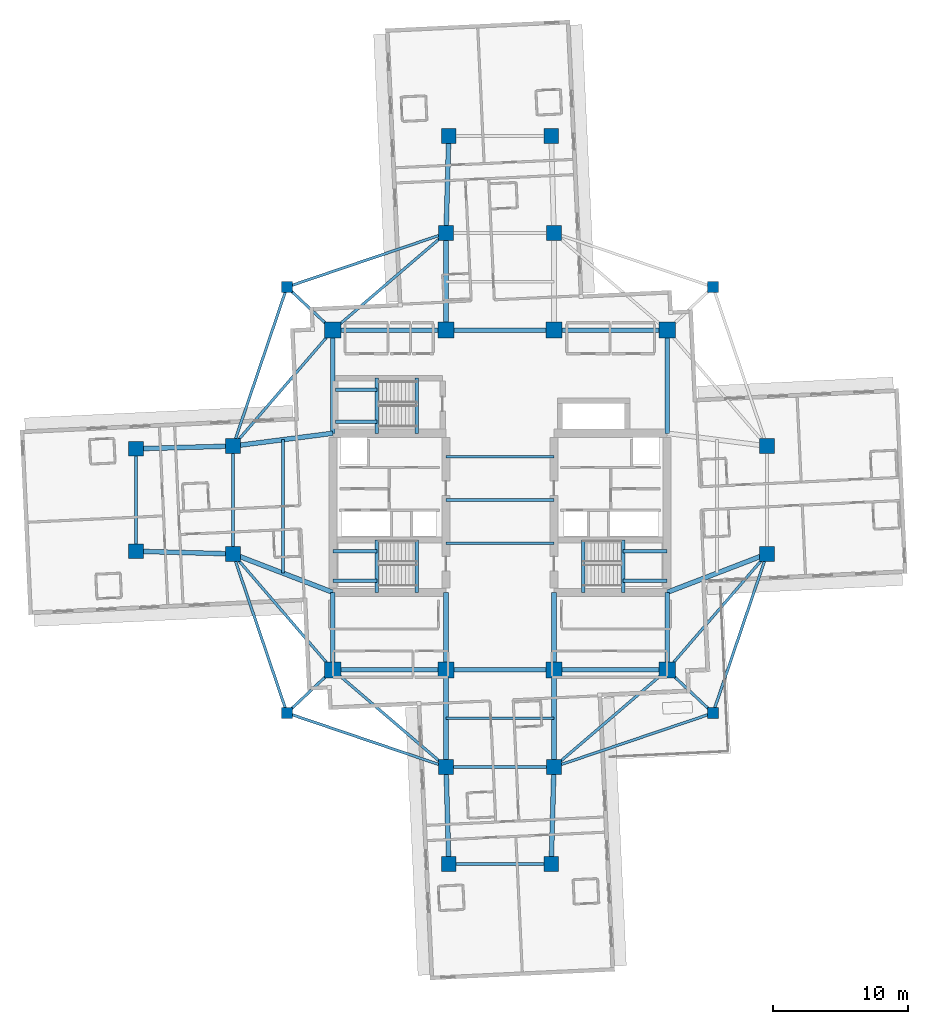
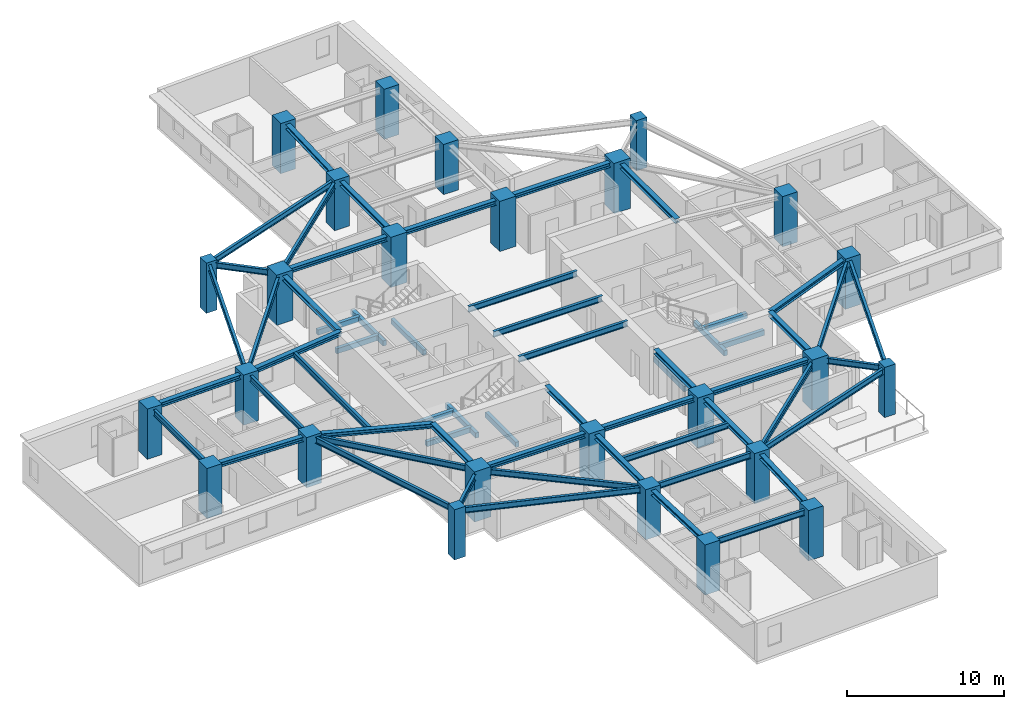
# One storey, part 1 of 14: 59 beams, 26 columns.
"""IFC4 building model written with IfcOpenShell, lengths in metres."""

from ifc_helpers import new_model, si_unit, direction, frame, origin, origin_2d, place, context, subcontext, project, spatial, rectangle, i_section, extrude, material, material_profile, profile_set, type_object, element, save


model = new_model("IFC4")

# Units and contexts
model_context = context("Model", 3, precision=1e-05, world=origin(), true_north=direction((0.0, 1.0)))
body_context = subcontext(model_context, "Body", "Model", "MODEL_VIEW")
ifc_project = project(units=[si_unit("LENGTHUNIT", "METRE"), si_unit("AREAUNIT", "SQUARE_METRE"), si_unit("VOLUMEUNIT", "CUBIC_METRE"), si_unit("PLANEANGLEUNIT", "RADIAN"), si_unit("MASSUNIT", "GRAM", prefix="KILO")], contexts=[model_context])

# Site, building, storey
site_placement = place(None, origin())
site = spatial("IfcSite", under=ifc_project, at=site_placement, CompositionType="ELEMENT")
building_placement = place(site_placement, origin())
building = spatial("IfcBuilding", under=site, at=building_placement, Name="Qingluan Cross Belvedere", CompositionType="ELEMENT")
storey_placement = place(building_placement, frame((0.0, 0.0, 116.39990234375)))
storey = spatial("IfcBuildingStorey", under=building, at=storey_placement, Name="L29", CompositionType="ELEMENT", Elevation=116.39990234375)

# Columns
ifc_material_1 = material(Name="Concrete C60", Category="concrete")
ifc_material_profile_1 = material_profile(ifc_material_1, rectangle(XDim=1.10009765625, YDim=1.10009765625, at=origin_2d()), Name="RC1100x1100")
ifc_profile_set_1 = profile_set([ifc_material_profile_1], Name="Concrete C60")
column_type_1 = type_object("IfcColumnType", Name="Column_RC1100x1100", PredefinedType="COLUMN", material=ifc_profile_set_1)
for number, where, z_axis, x_axis, name in (
    (1, (19.800048828125, -4.0, 0.0), (0.0, 0.0, 1.0), (1.0, 0.0, 0.0), "Arm column L29-EIA"),
    (2, (19.800048828125, 4.0, 0.0), (0.0, 0.0, 1.0), (1.0, 0.0, 0.0), "Arm column L29-EIB"),
    (3, (-19.800048828125, -4.0, 0.0), (0.0, 0.0, 1.0), (1.0, 0.0, 0.0), "Arm column L29-WIA"),
    (4, (-19.800048828125, 4.0, 0.0), (0.0, 0.0, 1.0), (1.0, 0.0, 0.0), "Arm column L29-WIB"),
    (5, (-4.0, -19.800048828125, 0.0), (0.0, 0.0, 1.0), (1.0, 0.0, 0.0), "Arm column L29-SIA"),
    (6, (4.0, -19.800048828125, 0.0), (0.0, 0.0, 1.0), (1.0, 0.0, 0.0), "Arm column L29-SIB"),
    (7, (-4.0, 19.800048828125, 0.0), (0.0, 0.0, 1.0), (1.0, 0.0, 0.0), "Arm column L29-NIA"),
    (8, (4.0, 19.800048828125, 0.0), (0.0, 0.0, 1.0), (1.0, 0.0, 0.0), "Arm column L29-NIB"),
    (9, (-27.0, -3.800048828125, 0.0), (0.0, 0.0, 1.0), (1.0, 0.0, 0.0), "Arm column L29-WOA"),
    (10, (-27.0, 3.800048828125, 0.0), (0.0, 0.0, 1.0), (1.0, 0.0, 0.0), "Arm column L29-WOB"),
    (11, (-3.800048828125, -27.0, 0.0), (0.0, 0.0, 1.0), (1.0, 0.0, 0.0), "Arm column L29-SOA"),
    (12, (3.800048828125, -27.0, 0.0), (0.0, 0.0, 1.0), (1.0, 0.0, 0.0), "Arm column L29-SOB"),
    (13, (-3.800048828125, 27.0, 0.0), (0.0, 0.0, 1.0), (1.0, 0.0, 0.0), "Arm column L29-NOA"),
    (14, (3.800048828125, 27.0, 0.0), (0.0, 0.0, 1.0), (1.0, 0.0, 0.0), "Arm column L29-NOB"),
):
    element("IfcColumn", number, at=place(storey_placement, frame(where, z_axis=z_axis, x_axis=x_axis)), inside=storey, type_object=column_type_1, Name=name, PredefinedType="COLUMN", context=body_context, shape_type="SweptSolid", body=[
        extrude(rectangle(XDim=1.10009765625, YDim=1.10009765625, at=origin_2d()), origin(), (0.0, 0.0, 1.0), 3.900146484375),
    ])
ifc_material_2 = material(Name="Concrete C60", Category="concrete")
ifc_material_profile_2 = material_profile(ifc_material_2, rectangle(XDim=1.199951171875, YDim=1.199951171875, at=origin_2d()), Name="RC1200x1200")
ifc_profile_set_2 = profile_set([ifc_material_profile_2], Name="Concrete C60")
column_type_2 = type_object("IfcColumnType", Name="Column_RC1200x1200", PredefinedType="COLUMN", material=ifc_profile_set_2)
for number, where, z_axis, x_axis, name in (
    (15, (-12.39990234375, -12.60009765625, 0.0), (0.0, 0.0, 1.0), (1.0, 0.0, 0.0), "Hub column L29-HC1"),
    (16, (12.39990234375, -12.60009765625, 0.0), (0.0, 0.0, 1.0), (1.0, 0.0, 0.0), "Hub column L29-HC2"),
    (17, (12.39990234375, 12.60009765625, 0.0), (0.0, 0.0, 1.0), (1.0, 0.0, 0.0), "Hub column L29-HC3"),
    (18, (-12.39990234375, 12.60009765625, 0.0), (0.0, 0.0, 1.0), (1.0, 0.0, 0.0), "Hub column L29-HC4"),
    (19, (-4.0, -12.60009765625, 0.0), (0.0, 0.0, 1.0), (1.0, 0.0, 0.0), "Hub column L29-HC5"),
    (20, (4.0, -12.60009765625, 0.0), (0.0, 0.0, 1.0), (1.0, 0.0, 0.0), "Hub column L29-HC6"),
    (21, (4.0, 12.60009765625, 0.0), (0.0, 0.0, 1.0), (1.0, 0.0, 0.0), "Hub column L29-HC7"),
    (22, (-4.0, 12.60009765625, 0.0), (0.0, 0.0, 1.0), (1.0, 0.0, 0.0), "Hub column L29-HC8"),
):
    element("IfcColumn", number, at=place(storey_placement, frame(where, z_axis=z_axis, x_axis=x_axis)), inside=storey, type_object=column_type_2, Name=name, PredefinedType="COLUMN", context=body_context, shape_type="SweptSolid", body=[
        extrude(rectangle(XDim=1.199951171875, YDim=1.199951171875, at=origin_2d()), origin(), (0.0, 0.0, 1.0), 3.900146484375),
    ])
ifc_material_3 = material(Name="Concrete C50", Category="concrete")
ifc_material_profile_3 = material_profile(ifc_material_3, rectangle(XDim=0.800048828125, YDim=0.800048828125, at=origin_2d()), Name="RC800x800")
ifc_profile_set_3 = profile_set([ifc_material_profile_3], Name="Concrete C50")
column_type_3 = type_object("IfcColumnType", Name="Column_RC800x800", PredefinedType="COLUMN", material=ifc_profile_set_3)
for number, where, z_axis, x_axis, name in (
    (23, (15.800048828125, 15.800048828125, 0.0), (0.0, 0.0, 1.0), (1.0, 0.0, 0.0), "Corner column L29-RNE"),
    (24, (-15.800048828125, 15.800048828125, 0.0), (0.0, 0.0, 1.0), (1.0, 0.0, 0.0), "Corner column L29-RNW"),
    (25, (-15.800048828125, -15.800048828125, 0.0), (0.0, 0.0, 1.0), (1.0, 0.0, 0.0), "Corner column L29-RSW"),
    (26, (15.800048828125, -15.800048828125, 0.0), (0.0, 0.0, 1.0), (1.0, 0.0, 0.0), "Corner column L29-RSE"),
):
    element("IfcColumn", number, at=place(storey_placement, frame(where, z_axis=z_axis, x_axis=x_axis)), inside=storey, type_object=column_type_3, Name=name, PredefinedType="COLUMN", context=body_context, shape_type="SweptSolid", body=[
        extrude(rectangle(XDim=0.800048828125, YDim=0.800048828125, at=origin_2d()), origin(), (0.0, 0.0, 1.0), 3.900146484375),
    ])

# Beams
ifc_material_4 = material(Name="Concrete C45", Category="concrete")
ifc_material_profile_4 = material_profile(ifc_material_4, rectangle(XDim=0.25, YDim=0.39990234375, at=origin_2d()), Name="RC250x400")
ifc_profile_set_4 = profile_set([ifc_material_profile_4], Name="Concrete C45")
beam_type_1 = type_object("IfcBeamType", Name="RC_Lintel_RC250x400", PredefinedType="LINTEL", material=ifc_profile_set_4)
for number, where, z_axis, x_axis, name in (
    (27, (-6.179931640625, -6.85009765625, -0.199951171875), (0.0, 1.0, 0.0), (-1.0, 0.0, 0.0), "Stair ST1 landing beam L29"),
    (28, (6.179931640625, -6.85009765625, -0.199951171875), (0.0, 1.0, 0.0), (-1.0, 0.0, 0.0), "Stair ST2 landing beam L29"),
):
    element("IfcBeam", number, at=place(storey_placement, frame(where, z_axis=z_axis, x_axis=x_axis)), inside=storey, type_object=beam_type_1, Name=name, PredefinedType="LINTEL", context=body_context, shape_type="SweptSolid", body=[
        extrude(rectangle(XDim=0.25, YDim=0.39990234375, at=origin_2d()), origin(), (0.0, 0.0, 1.0), 3.89013671875),
    ])
beam_1_placement = place(storey_placement, frame((-6.179931640625, 4.949951171875, -0.199951171875), z_axis=(0.0, 1.0, 0.0), x_axis=(-1.0, 0.0, 0.0)))
element("IfcBeam", 29, at=beam_1_placement, inside=storey, type_object=beam_type_1, Name="Stair ST3 landing beam L29", PredefinedType="LINTEL", context=body_context, shape_type="SweptSolid", body=[
    extrude(rectangle(XDim=0.25, YDim=0.39990234375, at=origin_2d()), origin(), (0.0, 0.0, 1.0), 4.090087890625),
])
beam_2_placement = place(storey_placement, frame((-9.1298828125, -6.85009765625, 1.550048828125), z_axis=(0.0, 1.0, 0.0), x_axis=(-1.0, 0.0, 0.0)))
element("IfcBeam", 30, at=beam_2_placement, inside=storey, type_object=beam_type_1, Name="Stair ST1 beam A L29", PredefinedType="LINTEL", context=body_context, shape_type="SweptSolid", body=[
    extrude(rectangle(XDim=0.25, YDim=0.39990234375, at=origin_2d()), origin(), (0.0, 0.0, 1.0), 3.89013671875),
])
for number, where, z_axis, x_axis, name in (
    (31, (-12.39990234375, -6.0, 1.550048828125), (1.0, 0.0, 0.0), (0.0, 1.0, 0.0), "Stair ST1 beam B L29"),
    (32, (-12.39990234375, -3.81005859375, 1.550048828125), (1.0, 0.0, 0.0), (0.0, 1.0, 0.0), "Stair ST1 beam C L29"),
):
    element("IfcBeam", number, at=place(storey_placement, frame(where, z_axis=z_axis, x_axis=x_axis)), inside=storey, type_object=beam_type_1, Name=name, PredefinedType="LINTEL", context=body_context, shape_type="SweptSolid", body=[
        extrude(rectangle(XDim=0.25, YDim=0.39990234375, at=origin_2d()), origin(), (0.0, 0.0, 1.0), 3.27001953125),
    ])
beam_3_placement = place(storey_placement, frame((9.1298828125, -6.85009765625, 1.550048828125), z_axis=(0.0, 1.0, 0.0), x_axis=(-1.0, 0.0, 0.0)))
element("IfcBeam", 33, at=beam_3_placement, inside=storey, type_object=beam_type_1, Name="Stair ST2 beam A L29", PredefinedType="LINTEL", context=body_context, shape_type="SweptSolid", body=[
    extrude(rectangle(XDim=0.25, YDim=0.39990234375, at=origin_2d()), origin(), (0.0, 0.0, 1.0), 3.89013671875),
])
for number, where, z_axis, x_axis, name in (
    (34, (12.39990234375, -6.0, 1.550048828125), (-1.0, 0.0, 0.0), (0.0, -1.0, 0.0), "Stair ST2 beam B L29"),
    (35, (12.39990234375, -3.81005859375, 1.550048828125), (-1.0, 0.0, 0.0), (0.0, -1.0, 0.0), "Stair ST2 beam C L29"),
):
    element("IfcBeam", number, at=place(storey_placement, frame(where, z_axis=z_axis, x_axis=x_axis)), inside=storey, type_object=beam_type_1, Name=name, PredefinedType="LINTEL", context=body_context, shape_type="SweptSolid", body=[
        extrude(rectangle(XDim=0.25, YDim=0.39990234375, at=origin_2d()), origin(), (0.0, 0.0, 1.0), 3.27001953125),
    ])
beam_4_placement = place(storey_placement, frame((-9.1298828125, 4.949951171875, 1.550048828125), z_axis=(0.0, 1.0, 0.0), x_axis=(-1.0, 0.0, 0.0)))
element("IfcBeam", 36, at=beam_4_placement, inside=storey, type_object=beam_type_1, Name="Stair ST3 beam A L29", PredefinedType="LINTEL", context=body_context, shape_type="SweptSolid", body=[
    extrude(rectangle(XDim=0.25, YDim=0.39990234375, at=origin_2d()), origin(), (0.0, 0.0, 1.0), 4.090087890625),
])
for number, where, z_axis, x_axis, name in (
    (37, (-12.219970703125, 5.800048828125, 1.550048828125), (1.0, 0.0, 0.0), (0.0, 1.0, 0.0), "Stair ST3 beam B L29"),
    (38, (-12.219970703125, 8.18994140625, 1.550048828125), (1.0, 0.0, 0.0), (0.0, 1.0, 0.0), "Stair ST3 beam C L29"),
):
    element("IfcBeam", number, at=place(storey_placement, frame(where, z_axis=z_axis, x_axis=x_axis)), inside=storey, type_object=beam_type_1, Name=name, PredefinedType="LINTEL", context=body_context, shape_type="SweptSolid", body=[
        extrude(rectangle(XDim=0.25, YDim=0.39990234375, at=origin_2d()), origin(), (0.0, 0.0, 1.0), 3.090087890625),
    ])
ifc_material_5 = material(Name="Steel Q420GJB", Category="steel")
ifc_material_profile_5 = material_profile(ifc_material_5, i_section(OverallWidth=0.199951171875, OverallDepth=0.449951171875, WebThickness=0.009033203125, FlangeThickness=0.013916015625, FilletRadius=0.01611328125, at=origin_2d()), Name="HN450x200x9x14")
ifc_profile_set_5 = profile_set([ifc_material_profile_5], Name="Steel Q420GJB")
beam_type_2 = type_object("IfcBeamType", Name="Steel_Beam_HN450x200x9x14", PredefinedType="JOIST", material=ifc_profile_set_5)
beam_5_placement = place(storey_placement, frame((-12.39990234375, 12.60009765625, 3.47509765625), z_axis=(-0.728219948308, 0.685343495546, 0.0), x_axis=(-0.685343495546, -0.728219948308, 0.0)))
element("IfcBeam", 39, at=beam_5_placement, inside=storey, type_object=beam_type_2, Name="Corner beam 1 L29-RNW", PredefinedType="JOIST", context=body_context, shape_type="SweptSolid", body=[
    extrude(i_section(OverallWidth=0.199951171875, OverallDepth=0.449951171875, WebThickness=0.009033203125, FlangeThickness=0.013916015625, FilletRadius=0.01611328125, at=origin_2d()), origin(), (0.0, 0.0, 1.0), 4.669189453125),
])
for number, where, z_axis, x_axis, name in (
    (40, (-15.800048828125, 15.800048828125, 3.47509765625), (0.947066283324, 0.321038089628, 0.0), (-0.321038089628, 0.947066283324, 0.0), "Corner beam 2 L29-RNW"),
    (41, (-15.800048828125, 15.800048828125, 3.47509765625), (-0.321038089628, -0.947066283324, 0.0), (0.947066283324, -0.321038089628, 0.0), "Corner beam 3 L29-RNW"),
):
    element("IfcBeam", number, at=place(storey_placement, frame(where, z_axis=z_axis, x_axis=x_axis)), inside=storey, type_object=beam_type_2, Name=name, PredefinedType="JOIST", context=body_context, shape_type="SweptSolid", body=[
        extrude(i_section(OverallWidth=0.199951171875, OverallDepth=0.449951171875, WebThickness=0.009033203125, FlangeThickness=0.013916015625, FilletRadius=0.01611328125, at=origin_2d()), origin(), (0.0, 0.0, 1.0), 12.45947265625),
    ])
beam_6_placement = place(storey_placement, frame((-12.39990234375, 12.60009765625, 3.47509765625), z_axis=(-0.652245077546, -0.75800815221, 0.0), x_axis=(0.75800815221, -0.652245077546, 0.0)))
element("IfcBeam", 42, at=beam_6_placement, inside=storey, type_object=beam_type_2, Name="Corner beam 4 L29-RNW", PredefinedType="JOIST", context=body_context, shape_type="SweptSolid", body=[
    extrude(i_section(OverallWidth=0.199951171875, OverallDepth=0.449951171875, WebThickness=0.009033203125, FlangeThickness=0.013916015625, FilletRadius=0.01611328125, at=origin_2d()), origin(), (0.0, 0.0, 1.0), 11.345703125),
])
beam_7_placement = place(storey_placement, frame((-12.39990234375, 12.60009765625, 3.47509765625), z_axis=(0.759255044656, 0.650793190779, 0.0), x_axis=(-0.650793190779, 0.759255044656, 0.0)))
element("IfcBeam", 43, at=beam_7_placement, inside=storey, type_object=beam_type_2, Name="Corner beam 5 L29-RNW", PredefinedType="JOIST", context=body_context, shape_type="SweptSolid", body=[
    extrude(i_section(OverallWidth=0.199951171875, OverallDepth=0.449951171875, WebThickness=0.009033203125, FlangeThickness=0.013916015625, FilletRadius=0.01611328125, at=origin_2d()), origin(), (0.0, 0.0, 1.0), 11.063232421875),
])
beam_8_placement = place(storey_placement, frame((-12.39990234375, -12.60009765625, 3.47509765625), z_axis=(-0.728219948308, -0.685343495546, 0.0), x_axis=(0.685343495546, -0.728219948308, 0.0)))
element("IfcBeam", 44, at=beam_8_placement, inside=storey, type_object=beam_type_2, Name="Corner beam 1 L29-RSW", PredefinedType="JOIST", context=body_context, shape_type="SweptSolid", body=[
    extrude(i_section(OverallWidth=0.199951171875, OverallDepth=0.449951171875, WebThickness=0.009033203125, FlangeThickness=0.013916015625, FilletRadius=0.01611328125, at=origin_2d()), origin(), (0.0, 0.0, 1.0), 4.669189453125),
])
for number, where, z_axis, x_axis, name in (
    (45, (-15.800048828125, -15.800048828125, 3.47509765625), (0.947066283324, -0.321038089628, 0.0), (0.321038089628, 0.947066283324, 0.0), "Corner beam 2 L29-RSW"),
    (46, (-15.800048828125, -15.800048828125, 3.47509765625), (-0.321038089628, 0.947066283324, 0.0), (-0.947066283324, -0.321038089628, 0.0), "Corner beam 3 L29-RSW"),
):
    element("IfcBeam", number, at=place(storey_placement, frame(where, z_axis=z_axis, x_axis=x_axis)), inside=storey, type_object=beam_type_2, Name=name, PredefinedType="JOIST", context=body_context, shape_type="SweptSolid", body=[
        extrude(i_section(OverallWidth=0.199951171875, OverallDepth=0.449951171875, WebThickness=0.009033203125, FlangeThickness=0.013916015625, FilletRadius=0.01611328125, at=origin_2d()), origin(), (0.0, 0.0, 1.0), 12.45947265625),
    ])
beam_9_placement = place(storey_placement, frame((-12.39990234375, -12.60009765625, 3.47509765625), z_axis=(-0.652245077546, 0.75800815221, 0.0), x_axis=(-0.75800815221, -0.652245077546, 0.0)))
element("IfcBeam", 47, at=beam_9_placement, inside=storey, type_object=beam_type_2, Name="Corner beam 4 L29-RSW", PredefinedType="JOIST", context=body_context, shape_type="SweptSolid", body=[
    extrude(i_section(OverallWidth=0.199951171875, OverallDepth=0.449951171875, WebThickness=0.009033203125, FlangeThickness=0.013916015625, FilletRadius=0.01611328125, at=origin_2d()), origin(), (0.0, 0.0, 1.0), 11.345703125),
])
beam_10_placement = place(storey_placement, frame((-12.39990234375, -12.60009765625, 3.47509765625), z_axis=(0.759255044656, -0.650793190779, 0.0), x_axis=(0.650793190779, 0.759255044656, 0.0)))
element("IfcBeam", 48, at=beam_10_placement, inside=storey, type_object=beam_type_2, Name="Corner beam 5 L29-RSW", PredefinedType="JOIST", context=body_context, shape_type="SweptSolid", body=[
    extrude(i_section(OverallWidth=0.199951171875, OverallDepth=0.449951171875, WebThickness=0.009033203125, FlangeThickness=0.013916015625, FilletRadius=0.01611328125, at=origin_2d()), origin(), (0.0, 0.0, 1.0), 11.063232421875),
])
beam_11_placement = place(storey_placement, frame((12.39990234375, -12.60009765625, 3.455078125), z_axis=(0.728219948308, -0.685343495546, 0.0), x_axis=(0.685343495546, 0.728219948308, 0.0)))
element("IfcBeam", 49, at=beam_11_placement, inside=storey, type_object=beam_type_2, Name="Corner beam 1 L29-RSE", PredefinedType="JOIST", context=body_context, shape_type="SweptSolid", body=[
    extrude(i_section(OverallWidth=0.199951171875, OverallDepth=0.449951171875, WebThickness=0.009033203125, FlangeThickness=0.013916015625, FilletRadius=0.01611328125, at=origin_2d()), origin(), (0.0, 0.0, 1.0), 4.669189453125),
])
for number, where, z_axis, x_axis, name in (
    (50, (15.800048828125, -15.800048828125, 3.455078125), (-0.947066283324, -0.321038089628, 0.0), (0.321038089628, -0.947066283324, 0.0), "Corner beam 2 L29-RSE"),
    (51, (15.800048828125, -15.800048828125, 3.455078125), (0.321038089628, 0.947066283324, 0.0), (-0.947066283324, 0.321038089628, 0.0), "Corner beam 3 L29-RSE"),
):
    element("IfcBeam", number, at=place(storey_placement, frame(where, z_axis=z_axis, x_axis=x_axis)), inside=storey, type_object=beam_type_2, Name=name, PredefinedType="JOIST", context=body_context, shape_type="SweptSolid", body=[
        extrude(i_section(OverallWidth=0.199951171875, OverallDepth=0.449951171875, WebThickness=0.009033203125, FlangeThickness=0.013916015625, FilletRadius=0.01611328125, at=origin_2d()), origin(), (0.0, 0.0, 1.0), 12.45947265625),
    ])
beam_12_placement = place(storey_placement, frame((12.39990234375, -12.60009765625, 3.455078125), z_axis=(0.652245077546, 0.75800815221, 0.0), x_axis=(-0.75800815221, 0.652245077546, 0.0)))
element("IfcBeam", 52, at=beam_12_placement, inside=storey, type_object=beam_type_2, Name="Corner beam 4 L29-RSE", PredefinedType="JOIST", context=body_context, shape_type="SweptSolid", body=[
    extrude(i_section(OverallWidth=0.199951171875, OverallDepth=0.449951171875, WebThickness=0.009033203125, FlangeThickness=0.013916015625, FilletRadius=0.01611328125, at=origin_2d()), origin(), (0.0, 0.0, 1.0), 11.345703125),
])
beam_13_placement = place(storey_placement, frame((12.39990234375, -12.60009765625, 3.455078125), z_axis=(-0.759255044656, -0.650793190779, 0.0), x_axis=(0.650793190779, -0.759255044656, 0.0)))
element("IfcBeam", 53, at=beam_13_placement, inside=storey, type_object=beam_type_2, Name="Corner beam 5 L29-RSE", PredefinedType="JOIST", context=body_context, shape_type="SweptSolid", body=[
    extrude(i_section(OverallWidth=0.199951171875, OverallDepth=0.449951171875, WebThickness=0.009033203125, FlangeThickness=0.013916015625, FilletRadius=0.01611328125, at=origin_2d()), origin(), (0.0, 0.0, 1.0), 11.063232421875),
])
for number, where, z_axis, x_axis, name in (
    (54, (-4.0, -3.199951171875, 3.47509765625), (1.0, 0.0, 0.0), (0.0, 1.0, 0.0), "Hall beam L29-CH1"),
    (55, (-4.0, 0.0, 3.47509765625), (1.0, 0.0, 0.0), (0.0, 1.0, 0.0), "Hall beam L29-CH2"),
    (56, (-4.0, 3.199951171875, 3.47509765625), (1.0, 0.0, 0.0), (0.0, 1.0, 0.0), "Hall beam L29-CH3"),
    (57, (-19.800048828125, -4.0, 3.47509765625), (0.0, 1.0, 0.0), (-1.0, 0.0, 0.0), "Arm W tie L29"),
):
    element("IfcBeam", number, at=place(storey_placement, frame(where, z_axis=z_axis, x_axis=x_axis)), inside=storey, type_object=beam_type_2, Name=name, PredefinedType="JOIST", context=body_context, shape_type="SweptSolid", body=[
        extrude(i_section(OverallWidth=0.199951171875, OverallDepth=0.449951171875, WebThickness=0.009033203125, FlangeThickness=0.013916015625, FilletRadius=0.01611328125, at=origin_2d()), origin(), (0.0, 0.0, 1.0), 8.0),
    ])
beam_14_placement = place(storey_placement, frame((-16.10009765625, -5.425048828125, 3.47509765625), z_axis=(0.0, 1.0, 0.0), x_axis=(-1.0, 0.0, 0.0)))
element("IfcBeam", 58, at=beam_14_placement, inside=storey, type_object=beam_type_2, Name="Arm W beam L29", PredefinedType="JOIST", context=body_context, shape_type="SweptSolid", body=[
    extrude(i_section(OverallWidth=0.199951171875, OverallDepth=0.449951171875, WebThickness=0.009033203125, FlangeThickness=0.013916015625, FilletRadius=0.01611328125, at=origin_2d()), origin(), (0.0, 0.0, 1.0), 9.900146484375),
])
beam_15_placement = place(storey_placement, frame((-27.0, -3.800048828125, 3.47509765625), z_axis=(0.0, 1.0, 0.0), x_axis=(-1.0, 0.0, 0.0)))
element("IfcBeam", 59, at=beam_15_placement, inside=storey, type_object=beam_type_2, Name="Arm W tip transverse beam L29", PredefinedType="JOIST", context=body_context, shape_type="SweptSolid", body=[
    extrude(i_section(OverallWidth=0.199951171875, OverallDepth=0.449951171875, WebThickness=0.009033203125, FlangeThickness=0.013916015625, FilletRadius=0.01611328125, at=origin_2d()), origin(), (0.0, 0.0, 1.0), 7.60009765625),
])
for number, where, z_axis, x_axis, name in (
    (60, (-4.0, -19.800048828125, 3.47509765625), (1.0, 0.0, 0.0), (0.0, 1.0, 0.0), "Arm S tie L29"),
    (61, (-4.0, -16.199951171875, 3.47509765625), (1.0, 0.0, 0.0), (0.0, 1.0, 0.0), "Arm S beam L29"),
):
    element("IfcBeam", number, at=place(storey_placement, frame(where, z_axis=z_axis, x_axis=x_axis)), inside=storey, type_object=beam_type_2, Name=name, PredefinedType="JOIST", context=body_context, shape_type="SweptSolid", body=[
        extrude(i_section(OverallWidth=0.199951171875, OverallDepth=0.449951171875, WebThickness=0.009033203125, FlangeThickness=0.013916015625, FilletRadius=0.01611328125, at=origin_2d()), origin(), (0.0, 0.0, 1.0), 8.0),
    ])
beam_16_placement = place(storey_placement, frame((-3.800048828125, -27.0, 3.47509765625), z_axis=(1.0, 0.0, 0.0), x_axis=(0.0, 1.0, 0.0)))
element("IfcBeam", 62, at=beam_16_placement, inside=storey, type_object=beam_type_2, Name="Arm S tip transverse beam L29", PredefinedType="JOIST", context=body_context, shape_type="SweptSolid", body=[
    extrude(i_section(OverallWidth=0.199951171875, OverallDepth=0.449951171875, WebThickness=0.009033203125, FlangeThickness=0.013916015625, FilletRadius=0.01611328125, at=origin_2d()), origin(), (0.0, 0.0, 1.0), 7.60009765625),
])
ifc_material_6 = material(Name="Steel Q420GJB", Category="steel")
ifc_material_profile_6 = material_profile(ifc_material_6, i_section(OverallWidth=0.35009765625, OverallDepth=0.35009765625, WebThickness=0.011962890625, FlangeThickness=0.01904296875, FilletRadius=0.02001953125, at=origin_2d()), Name="HW350x350x12x19")
ifc_profile_set_6 = profile_set([ifc_material_profile_6], Name="Steel Q420GJB")
beam_type_3 = type_object("IfcBeamType", Name="Steel_Girder_HW350x350x12x19", PredefinedType="USERDEFINED", material=ifc_profile_set_6)
beam_17_placement = place(storey_placement, frame((-12.39990234375, -12.60009765625, 3.525146484375), z_axis=(1.0, 0.0, 0.0), x_axis=(0.0, 1.0, 0.0)))
element("IfcBeam", 63, at=beam_17_placement, inside=storey, type_object=beam_type_3, Name="Hub girder L29-HG-S1", ObjectType="GIRDER", PredefinedType="USERDEFINED", context=body_context, shape_type="SweptSolid", body=[
    extrude(i_section(OverallWidth=0.35009765625, OverallDepth=0.35009765625, WebThickness=0.011962890625, FlangeThickness=0.01904296875, FilletRadius=0.02001953125, at=origin_2d()), origin(), (0.0, 0.0, 1.0), 8.39990234375),
])
beam_18_placement = place(storey_placement, frame((-4.0, -12.60009765625, 3.525146484375), z_axis=(1.0, 0.0, 0.0), x_axis=(0.0, 1.0, 0.0)))
element("IfcBeam", 64, at=beam_18_placement, inside=storey, type_object=beam_type_3, Name="Hub girder L29-HG-S2", ObjectType="GIRDER", PredefinedType="USERDEFINED", context=body_context, shape_type="SweptSolid", body=[
    extrude(i_section(OverallWidth=0.35009765625, OverallDepth=0.35009765625, WebThickness=0.011962890625, FlangeThickness=0.01904296875, FilletRadius=0.02001953125, at=origin_2d()), origin(), (0.0, 0.0, 1.0), 8.0),
])
for number, where, z_axis, x_axis, name in (
    (65, (4.0, -12.60009765625, 3.525146484375), (1.0, 0.0, 0.0), (0.0, 1.0, 0.0), "Hub girder L29-HG-S3"),
    (66, (-12.39990234375, 12.60009765625, 3.525146484375), (1.0, 0.0, 0.0), (0.0, 1.0, 0.0), "Hub girder L29-HG-N1"),
):
    element("IfcBeam", number, at=place(storey_placement, frame(where, z_axis=z_axis, x_axis=x_axis)), inside=storey, type_object=beam_type_3, Name=name, ObjectType="GIRDER", PredefinedType="USERDEFINED", context=body_context, shape_type="SweptSolid", body=[
        extrude(i_section(OverallWidth=0.35009765625, OverallDepth=0.35009765625, WebThickness=0.011962890625, FlangeThickness=0.01904296875, FilletRadius=0.02001953125, at=origin_2d()), origin(), (0.0, 0.0, 1.0), 8.39990234375),
    ])
beam_19_placement = place(storey_placement, frame((-4.0, 12.60009765625, 3.525146484375), z_axis=(1.0, 0.0, 0.0), x_axis=(0.0, 1.0, 0.0)))
element("IfcBeam", 67, at=beam_19_placement, inside=storey, type_object=beam_type_3, Name="Hub girder L29-HG-N2", ObjectType="GIRDER", PredefinedType="USERDEFINED", context=body_context, shape_type="SweptSolid", body=[
    extrude(i_section(OverallWidth=0.35009765625, OverallDepth=0.35009765625, WebThickness=0.011962890625, FlangeThickness=0.01904296875, FilletRadius=0.02001953125, at=origin_2d()), origin(), (0.0, 0.0, 1.0), 8.0),
])
beam_20_placement = place(storey_placement, frame((4.0, 12.60009765625, 3.525146484375), z_axis=(1.0, 0.0, 0.0), x_axis=(0.0, 1.0, 0.0)))
element("IfcBeam", 68, at=beam_20_placement, inside=storey, type_object=beam_type_3, Name="Hub girder L29-HG-N3", ObjectType="GIRDER", PredefinedType="USERDEFINED", context=body_context, shape_type="SweptSolid", body=[
    extrude(i_section(OverallWidth=0.35009765625, OverallDepth=0.35009765625, WebThickness=0.011962890625, FlangeThickness=0.01904296875, FilletRadius=0.02001953125, at=origin_2d()), origin(), (0.0, 0.0, 1.0), 8.39990234375),
])
beam_21_placement = place(storey_placement, frame((-12.39990234375, -12.60009765625, 3.525146484375), z_axis=(0.0, 1.0, 0.0), x_axis=(-1.0, 0.0, 0.0)))
element("IfcBeam", 69, at=beam_21_placement, inside=storey, type_object=beam_type_3, Name="Hub girder L29-HG-W1", ObjectType="GIRDER", PredefinedType="USERDEFINED", context=body_context, shape_type="SweptSolid", body=[
    extrude(i_section(OverallWidth=0.35009765625, OverallDepth=0.35009765625, WebThickness=0.011962890625, FlangeThickness=0.01904296875, FilletRadius=0.02001953125, at=origin_2d()), origin(), (0.0, 0.0, 1.0), 5.75),
])
beam_22_placement = place(storey_placement, frame((-12.39990234375, 4.949951171875, 3.525146484375), z_axis=(0.0, 1.0, 0.0), x_axis=(-1.0, 0.0, 0.0)))
element("IfcBeam", 70, at=beam_22_placement, inside=storey, type_object=beam_type_3, Name="Hub girder L29-HG-W2", ObjectType="GIRDER", PredefinedType="USERDEFINED", context=body_context, shape_type="SweptSolid", body=[
    extrude(i_section(OverallWidth=0.35009765625, OverallDepth=0.35009765625, WebThickness=0.011962890625, FlangeThickness=0.01904296875, FilletRadius=0.02001953125, at=origin_2d()), origin(), (0.0, 0.0, 1.0), 7.650146484375),
])
beam_23_placement = place(storey_placement, frame((12.39990234375, -12.60009765625, 3.525146484375), z_axis=(0.0, 1.0, 0.0), x_axis=(-1.0, 0.0, 0.0)))
element("IfcBeam", 71, at=beam_23_placement, inside=storey, type_object=beam_type_3, Name="Hub girder L29-HG-E1", ObjectType="GIRDER", PredefinedType="USERDEFINED", context=body_context, shape_type="SweptSolid", body=[
    extrude(i_section(OverallWidth=0.35009765625, OverallDepth=0.35009765625, WebThickness=0.011962890625, FlangeThickness=0.01904296875, FilletRadius=0.02001953125, at=origin_2d()), origin(), (0.0, 0.0, 1.0), 5.75),
])
beam_24_placement = place(storey_placement, frame((12.39990234375, 4.949951171875, 3.525146484375), z_axis=(0.0, 1.0, 0.0), x_axis=(-1.0, 0.0, 0.0)))
element("IfcBeam", 72, at=beam_24_placement, inside=storey, type_object=beam_type_3, Name="Hub girder L29-HG-E2", ObjectType="GIRDER", PredefinedType="USERDEFINED", context=body_context, shape_type="SweptSolid", body=[
    extrude(i_section(OverallWidth=0.35009765625, OverallDepth=0.35009765625, WebThickness=0.011962890625, FlangeThickness=0.01904296875, FilletRadius=0.02001953125, at=origin_2d()), origin(), (0.0, 0.0, 1.0), 7.650146484375),
])
for number, where, z_axis, x_axis, name in (
    (73, (-4.0, -12.60009765625, 3.525146484375), (0.0, 1.0, 0.0), (-1.0, 0.0, 0.0), "Hub girder L29-HG-CW"),
    (74, (4.0, -12.60009765625, 3.525146484375), (0.0, 1.0, 0.0), (-1.0, 0.0, 0.0), "Hub girder L29-HG-CE"),
):
    element("IfcBeam", number, at=place(storey_placement, frame(where, z_axis=z_axis, x_axis=x_axis)), inside=storey, type_object=beam_type_3, Name=name, ObjectType="GIRDER", PredefinedType="USERDEFINED", context=body_context, shape_type="SweptSolid", body=[
        extrude(i_section(OverallWidth=0.35009765625, OverallDepth=0.35009765625, WebThickness=0.011962890625, FlangeThickness=0.01904296875, FilletRadius=0.02001953125, at=origin_2d()), origin(), (0.0, 0.0, 1.0), 5.75),
    ])
for number, where, z_axis, x_axis, name in (
    (75, (12.39990234375, -6.85009765625, 3.525146484375), (0.933181258889, 0.359406090735, 0.0), (-0.359406090735, 0.933181258889, 0.0), "Arm E radial girder A L29"),
    (76, (-12.39990234375, -6.85009765625, 3.525146484375), (-0.933181258889, 0.359406090735, 0.0), (-0.359406090735, -0.933181258889, 0.0), "Arm W radial girder A L29"),
):
    element("IfcBeam", number, at=place(storey_placement, frame(where, z_axis=z_axis, x_axis=x_axis)), inside=storey, type_object=beam_type_3, Name=name, ObjectType="GIRDER", PredefinedType="USERDEFINED", context=body_context, shape_type="SweptSolid", body=[
        extrude(i_section(OverallWidth=0.35009765625, OverallDepth=0.35009765625, WebThickness=0.011962890625, FlangeThickness=0.01904296875, FilletRadius=0.02001953125, at=origin_2d()), origin(), (0.0, 0.0, 1.0), 7.929931640625),
    ])
beam_25_placement = place(storey_placement, frame((-12.39990234375, 4.949951171875, 3.525146484375), z_axis=(-0.991861120628, -0.12732445714, 0.0), x_axis=(0.12732445714, -0.991861120628, 0.0)))
element("IfcBeam", 77, at=beam_25_placement, inside=storey, type_object=beam_type_3, Name="Arm W radial girder B L29", ObjectType="GIRDER", PredefinedType="USERDEFINED", context=body_context, shape_type="SweptSolid", body=[
    extrude(i_section(OverallWidth=0.35009765625, OverallDepth=0.35009765625, WebThickness=0.011962890625, FlangeThickness=0.01904296875, FilletRadius=0.02001953125, at=origin_2d()), origin(), (0.0, 0.0, 1.0), 7.4609375),
])
for number, where, z_axis, x_axis, name in (
    (78, (-19.800048828125, -4.0, 3.525146484375), (-0.999614603568, 0.027760481514, 0.0), (-0.027760481514, -0.999614603568, 0.0), "Arm W outer radial girder A L29"),
    (79, (-19.800048828125, 4.0, 3.525146484375), (-0.999614603568, -0.027760481514, 0.0), (0.027760481514, -0.999614603568, 0.0), "Arm W outer radial girder B L29"),
):
    element("IfcBeam", number, at=place(storey_placement, frame(where, z_axis=z_axis, x_axis=x_axis)), inside=storey, type_object=beam_type_3, Name=name, ObjectType="GIRDER", PredefinedType="USERDEFINED", context=body_context, shape_type="SweptSolid", body=[
        extrude(i_section(OverallWidth=0.35009765625, OverallDepth=0.35009765625, WebThickness=0.011962890625, FlangeThickness=0.01904296875, FilletRadius=0.02001953125, at=origin_2d()), origin(), (0.0, 0.0, 1.0), 7.20263671875),
    ])
beam_26_placement = place(storey_placement, frame((-4.0, 12.60009765625, 3.525146484375), z_axis=(0.0, 1.0, 0.0), x_axis=(-1.0, 0.0, 0.0)))
element("IfcBeam", 80, at=beam_26_placement, inside=storey, type_object=beam_type_3, Name="Arm N radial girder A L29", ObjectType="GIRDER", PredefinedType="USERDEFINED", context=body_context, shape_type="SweptSolid", body=[
    extrude(i_section(OverallWidth=0.35009765625, OverallDepth=0.35009765625, WebThickness=0.011962890625, FlangeThickness=0.01904296875, FilletRadius=0.02001953125, at=origin_2d()), origin(), (0.0, 0.0, 1.0), 7.199951171875),
])
beam_27_placement = place(storey_placement, frame((-4.0, 19.800048828125, 3.525146484375), z_axis=(0.027760481514, 0.999614603568, 0.0), x_axis=(-0.999614603568, 0.027760481514, 0.0)))
element("IfcBeam", 81, at=beam_27_placement, inside=storey, type_object=beam_type_3, Name="Arm N outer radial girder A L29", ObjectType="GIRDER", PredefinedType="USERDEFINED", context=body_context, shape_type="SweptSolid", body=[
    extrude(i_section(OverallWidth=0.35009765625, OverallDepth=0.35009765625, WebThickness=0.011962890625, FlangeThickness=0.01904296875, FilletRadius=0.02001953125, at=origin_2d()), origin(), (0.0, 0.0, 1.0), 7.20263671875),
])
for number, where, z_axis, x_axis, name in (
    (82, (-4.0, -12.60009765625, 3.525146484375), (0.0, -1.0, 0.0), (1.0, 0.0, 0.0), "Arm S radial girder A L29"),
    (83, (4.0, -12.60009765625, 3.525146484375), (0.0, -1.0, 0.0), (1.0, 0.0, 0.0), "Arm S radial girder B L29"),
):
    element("IfcBeam", number, at=place(storey_placement, frame(where, z_axis=z_axis, x_axis=x_axis)), inside=storey, type_object=beam_type_3, Name=name, ObjectType="GIRDER", PredefinedType="USERDEFINED", context=body_context, shape_type="SweptSolid", body=[
        extrude(i_section(OverallWidth=0.35009765625, OverallDepth=0.35009765625, WebThickness=0.011962890625, FlangeThickness=0.01904296875, FilletRadius=0.02001953125, at=origin_2d()), origin(), (0.0, 0.0, 1.0), 7.199951171875),
    ])
for number, where, z_axis, x_axis, name in (
    (84, (-4.0, -19.800048828125, 3.525146484375), (0.027760481514, -0.999614603568, 0.0), (0.999614603568, 0.027760481514, 0.0), "Arm S outer radial girder A L29"),
    (85, (4.0, -19.800048828125, 3.525146484375), (-0.027760481514, -0.999614603568, 0.0), (0.999614603568, -0.027760481514, 0.0), "Arm S outer radial girder B L29"),
):
    element("IfcBeam", number, at=place(storey_placement, frame(where, z_axis=z_axis, x_axis=x_axis)), inside=storey, type_object=beam_type_3, Name=name, ObjectType="GIRDER", PredefinedType="USERDEFINED", context=body_context, shape_type="SweptSolid", body=[
        extrude(i_section(OverallWidth=0.35009765625, OverallDepth=0.35009765625, WebThickness=0.011962890625, FlangeThickness=0.01904296875, FilletRadius=0.02001953125, at=origin_2d()), origin(), (0.0, 0.0, 1.0), 7.20263671875),
    ])

save(model, "model.ifc")
